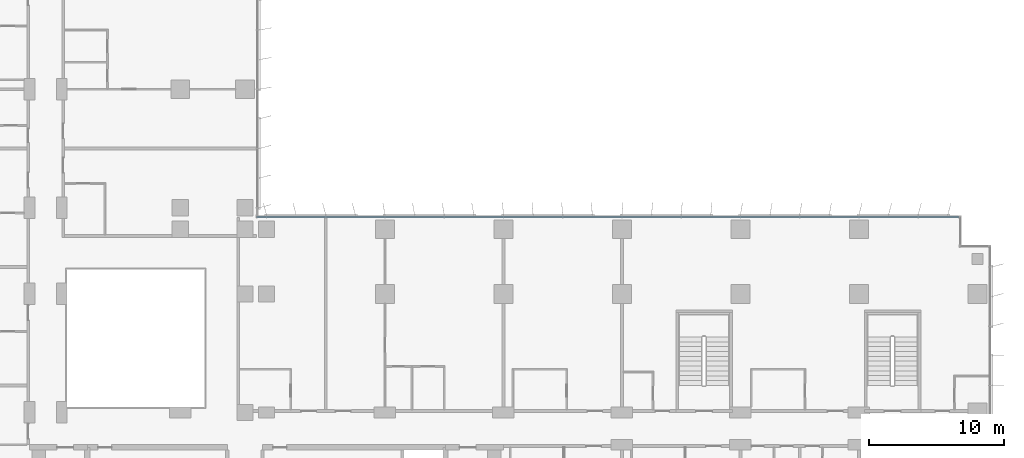
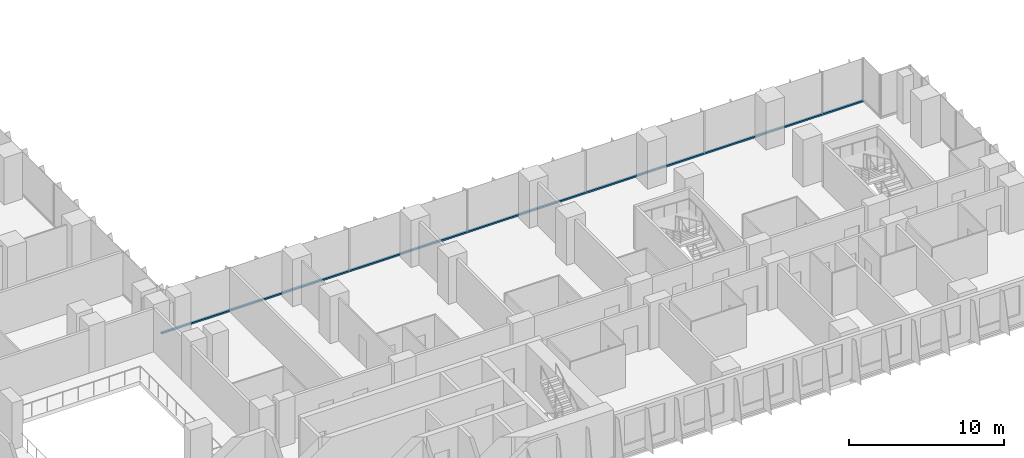
# One storey, part 3 of 24: 1 member, 1 element without a shape of its own.
"""IFC4 building model written with IfcOpenShell, lengths in metres."""

import ifcopenshell
import ifcopenshell.guid

model = None  # the IFC model being written
_history = None  # IfcOwnerHistory: only IFC2X3 demands one
_inside = {}  # id of a spatial element -> (the spatial element, [elements in it])
_under = {}  # id of a project, library or spatial element -> (it, [spatial elements below it])
_declared = {}  # id of a project -> (the project, [libraries it declares])
_typed = {}  # id of a type object -> (the type object, [elements of that type])
_made_of = {}  # id of a material, layer set ... -> (it, [elements and type objects made of it])


def new_model(schema):
    """Start an empty IFC model of exactly this schema.

    Asked for "IFC4X3", IfcOpenShell would pick the latest addendum, in which some entities
    have other attributes; the version numbers below select the first issue.
    IFC2X3 requires an IfcOwnerHistory on every rooted entity: one is made here for all.
    """
    global model, _history
    if schema == "IFC4X3":
        model = ifcopenshell.file(schema_version=(4, 3, 0, 0))
    else:
        model = ifcopenshell.file(schema=schema)
    _inside.clear()
    _under.clear()
    _declared.clear()
    _typed.clear()
    _made_of.clear()
    _history = None
    if model.schema == "IFC2X3":
        org = make("IfcOrganization", Name="unknown")
        user = make(
            "IfcPersonAndOrganization",
            ThePerson=make("IfcPerson", FamilyName="unknown"),
            TheOrganization=org,
        )
        app = make(
            "IfcApplication",
            ApplicationDeveloper=org,
            Version="unknown",
            ApplicationFullName="unknown",
            ApplicationIdentifier="unknown",
        )
        _history = make(
            "IfcOwnerHistory",
            OwningUser=user,
            OwningApplication=app,
            ChangeAction="ADDED",
            CreationDate=0,
        )
    return model


def make(cls, **values):
    """One entity of the class cls with the attributes given. An attribute that is None is left unset."""
    return model.create_entity(
        cls, **{name: value for name, value in values.items() if value is not None}
    )


def rooted(cls, **values):
    """An entity with a GlobalId (a new one), such as an element, a storey or a relation."""
    return make(cls, GlobalId=ifcopenshell.guid.new(), OwnerHistory=_history, **values)


def si_unit(unit_type, name, prefix=None):
    """IfcSIUnit, for example si_unit("LENGTHUNIT", "METRE", prefix="MILLI")."""
    return make("IfcSIUnit", UnitType=unit_type, Prefix=prefix, Name=name)


def assignment(units):
    """IfcUnitAssignment: the units of a project."""
    return None if units is None else make("IfcUnitAssignment", Units=units)


def point(xyz):
    """IfcCartesianPoint."""
    return None if xyz is None else make("IfcCartesianPoint", Coordinates=xyz)


def direction(xyz):
    """IfcDirection."""
    return None if xyz is None else make("IfcDirection", DirectionRatios=xyz)


def frame(location, z_axis=None, x_axis=None):
    """IfcAxis2Placement3D, a coordinate frame: its origin and axes. An axis left out is left unset."""
    return make(
        "IfcAxis2Placement3D",
        Location=point(location),
        Axis=direction(z_axis),
        RefDirection=direction(x_axis),
    )


def frame_2d(location, x_axis=None):
    """IfcAxis2Placement2D, a coordinate frame in the plane: its origin and x axis."""
    return make(
        "IfcAxis2Placement2D", Location=point(location), RefDirection=direction(x_axis)
    )


def origin():
    """The frame at (0, 0, 0) with its axes left unset."""
    return frame((0.0, 0.0, 0.0))


def origin_2d():
    """The frame at (0, 0) in the plane with its x axis left unset."""
    return frame_2d((0.0, 0.0))


def place(relative_to, where):
    """IfcLocalPlacement: puts the frame where relative to a parent placement (None: the world)."""
    return make(
        "IfcLocalPlacement", PlacementRelTo=relative_to, RelativePlacement=where
    )


def context(
    kind, dimensions, precision=None, world=None, true_north=None, identifier=None
):
    """IfcGeometricRepresentationContext, for example the 3D "Model" context."""
    return make(
        "IfcGeometricRepresentationContext",
        ContextIdentifier=identifier,
        ContextType=kind,
        CoordinateSpaceDimension=dimensions,
        Precision=precision,
        WorldCoordinateSystem=world,
        TrueNorth=true_north,
    )


def subcontext(parent, identifier, kind, view, scale=None):
    """IfcGeometricRepresentationSubContext, for example "Body" below "Model"."""
    return make(
        "IfcGeometricRepresentationSubContext",
        ContextIdentifier=identifier,
        ContextType=kind,
        ParentContext=parent,
        TargetScale=scale,
        TargetView=view,
    )


def project(units=None, contexts=None):
    """IfcProject with its units and contexts."""
    return rooted(
        "IfcProject",
        Name="project",
        RepresentationContexts=contexts,
        UnitsInContext=assignment(units),
    )


def spatial(cls, under=None, at=None, **own):
    """A site, building, storey or space (cls), placed at a placement, below another one or the project."""
    s = rooted(cls, ObjectPlacement=at, **own)
    if under is not None:
        _under.setdefault(under.id(), (under, []))[1].append(s)
    return s


def profile(cls, at=None, kind="AREA", **sizes):
    """A parametric profile (cls). Its sizes go by their IFC names, for example OverallWidth=200.0."""
    return make(cls, ProfileType=kind, Position=at, **sizes)


def rectangle(**sizes):
    """IfcRectangleProfileDef."""
    return profile("IfcRectangleProfileDef", **sizes)


def extrude(swept, where, along, depth):
    """IfcExtrudedAreaSolid: the profile swept, set in the frame where, extruded along a direction by depth."""
    return make(
        "IfcExtrudedAreaSolid",
        SweptArea=swept,
        Position=where,
        ExtrudedDirection=direction(along),
        Depth=depth,
    )


def shape(context_of_items, identifier, shape_type, items):
    """IfcShapeRepresentation: the items that make up one representation, for example the "Body"."""
    return make(
        "IfcShapeRepresentation",
        ContextOfItems=context_of_items,
        RepresentationIdentifier=identifier,
        RepresentationType=shape_type,
        Items=items,
    )


def material(Name=None, Category=None):
    """IfcMaterial."""
    return make("IfcMaterial", Name=Name, Category=Category)


def material_profile(
    of_material, cross_section, Name=None, Category=None, Priority=None
):
    """IfcMaterialProfile: a cross section and its material."""
    return make(
        "IfcMaterialProfile",
        Name=Name,
        Material=of_material,
        Profile=cross_section,
        Priority=Priority,
        Category=Category,
    )


def profile_set(profiles, Name=None, composite=None):
    """IfcMaterialProfileSet."""
    return make(
        "IfcMaterialProfileSet",
        Name=Name,
        MaterialProfiles=profiles,
        CompositeProfile=composite,
    )


def made_of(thing, what):
    """Note that an element or type object is made of a material, layer set ...; save() writes the relation."""
    if what is not None:
        _made_of.setdefault(what.id(), (what, []))[1].append(thing)
    return thing


def type_object(cls, material=None, **own):
    """A type object (cls), such as IfcWallType, which elements share."""
    return made_of(rooted(cls, **own), material)


def element(
    cls,
    number,
    at=None,
    inside=None,
    cuts=None,
    type_object=None,
    material=None,
    context=None,
    identifier="Body",
    shape_type=None,
    held_by="IfcProductDefinitionShape",
    body=None,
    shapes=None,
    **own,
):
    """One element of the class cls, such as IfcWall. Its Tag is "e" and its number.

    at: its placement. inside: the storey or other place that contains it. cuts: it is an
    opening in that element (IfcRelVoidsElement). A single representation is given by context,
    identifier, shape_type and body (its items); several are given by shapes. held_by: the class
    of the entity that holds the representations. save() writes the other relations.
    """
    e = rooted(cls, Tag="e%d" % number, ObjectPlacement=at, **own)
    if body is not None:
        shapes = [shape(context, identifier, shape_type, body)]
    if shapes is not None:
        e.Representation = make(held_by, Representations=shapes)
    if inside is not None:
        _inside.setdefault(inside.id(), (inside, []))[1].append(e)
    if cuts is not None:
        rooted(
            "IfcRelVoidsElement", RelatingBuildingElement=cuts, RelatedOpeningElement=e
        )
    if type_object is not None:
        _typed.setdefault(type_object.id(), (type_object, []))[1].append(e)
    return made_of(e, material)


def aggregate(whole, parts):
    """IfcRelAggregates: a whole, such as a stair, and the parts it consists of."""
    return rooted("IfcRelAggregates", RelatingObject=whole, RelatedObjects=parts)


def save(model, path):
    """Write the relations noted so far, then the file.

    IfcRelAggregates (storeys below a building ...), IfcRelContainedInSpatialStructure (elements
    in a storey), IfcRelDefinesByType, IfcRelAssociatesMaterial and IfcRelDeclares: one each for
    every whole, place, type object, material and project.
    """
    for whole, parts in _under.values():
        aggregate(whole, parts)
    for where, things in _inside.values():
        rooted(
            "IfcRelContainedInSpatialStructure",
            RelatedElements=things,
            RelatingStructure=where,
        )
    for kind, things in _typed.values():
        rooted("IfcRelDefinesByType", RelatedObjects=things, RelatingType=kind)
    for what, things in _made_of.values():
        rooted("IfcRelAssociatesMaterial", RelatedObjects=things, RelatingMaterial=what)
    for by, libraries in _declared.values():
        rooted("IfcRelDeclares", RelatingContext=by, RelatedDefinitions=libraries)
    model.write(path)


model = new_model("IFC4")

# Units and contexts
model_context = context("Model", 3, precision=1e-05, world=origin(), true_north=direction((0.0, 1.0)))
body_context = subcontext(model_context, "Body", "Model", "MODEL_VIEW")
ifc_project = project(units=[si_unit("LENGTHUNIT", "METRE"), si_unit("AREAUNIT", "SQUARE_METRE"), si_unit("VOLUMEUNIT", "CUBIC_METRE"), si_unit("PLANEANGLEUNIT", "RADIAN"), si_unit("MASSUNIT", "GRAM", prefix="KILO")], contexts=[model_context])

# Site, building, storey
site_placement = place(None, origin())
site = spatial("IfcSite", under=ifc_project, at=site_placement, CompositionType="ELEMENT")
building_placement = place(site_placement, origin())
building = spatial("IfcBuilding", under=site, at=building_placement, Name="Kemantara Hotel Tower", CompositionType="ELEMENT")
storey_placement = place(building_placement, frame((0.0, 0.0, 45.10009765625)))
storey = spatial("IfcBuildingStorey", under=building, at=storey_placement, Name="L09", CompositionType="ELEMENT", Elevation=45.10009765625)

# Curtain wall, member
ifc_material_1 = material(Name="Low-E tinted double insulated glass 36 mm", Category="glass")
curtain_wall_type = type_object("IfcCurtainWallType", Name="TOWER CURTAIN WALL, FRONT FACES", PredefinedType="USERDEFINED", material=ifc_material_1)
curtain_wall_placement = place(storey_placement, origin())
curtain_wall = element("IfcCurtainWall", 1, at=curtain_wall_placement, inside=storey, type_object=curtain_wall_type, Name="CW4 L09 T1-R07-1", ObjectType="TOWER CURTAIN WALL, FRONT FACES", PredefinedType="USERDEFINED")
ifc_material_2 = material(Name="Aluminium 6063-T6 bronze anodised", Category="aluminium")
ifc_material_profile = material_profile(ifc_material_2, rectangle(XDim=0.14990234375, YDim=0.1201171875, at=origin_2d()), Name="TOWER CURTAIN WALL, FRONT FACES TRANSOM")
ifc_profile_set = profile_set([ifc_material_profile], Name="Aluminium 6063-T6 bronze anodised")
member_type = type_object("IfcMemberType", Name="TOWER CURTAIN WALL, FRONT FACES TRANSOM", PredefinedType="USERDEFINED", material=ifc_profile_set)
member_placement = place(storey_placement, frame((78.85009765625, 26.72509765625, 0.059814453125), z_axis=(-1.0, 0.0, 0.0), x_axis=(0.0, -1.0, 0.0)))
member = element("IfcMember", 2, at=member_placement, type_object=member_type, Name="CW4 sill transom T1-R07-1", ObjectType="TRANSOM", PredefinedType="USERDEFINED", context=body_context, shape_type="SweptSolid", body=[
    extrude(rectangle(XDim=0.14990234375, YDim=0.1201171875, at=origin_2d()), origin(), (0.0, 0.0, 1.0), 52.2001953125),
])
aggregate(curtain_wall, [member])

save(model, "model.ifc")
